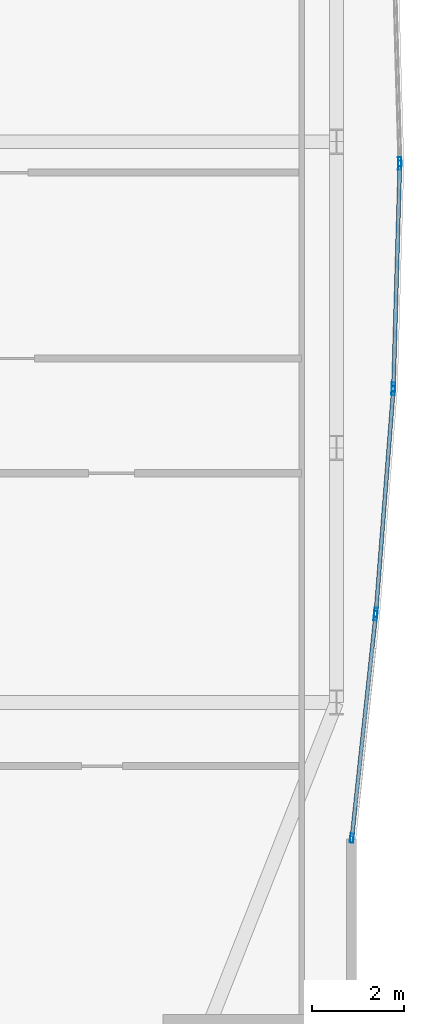
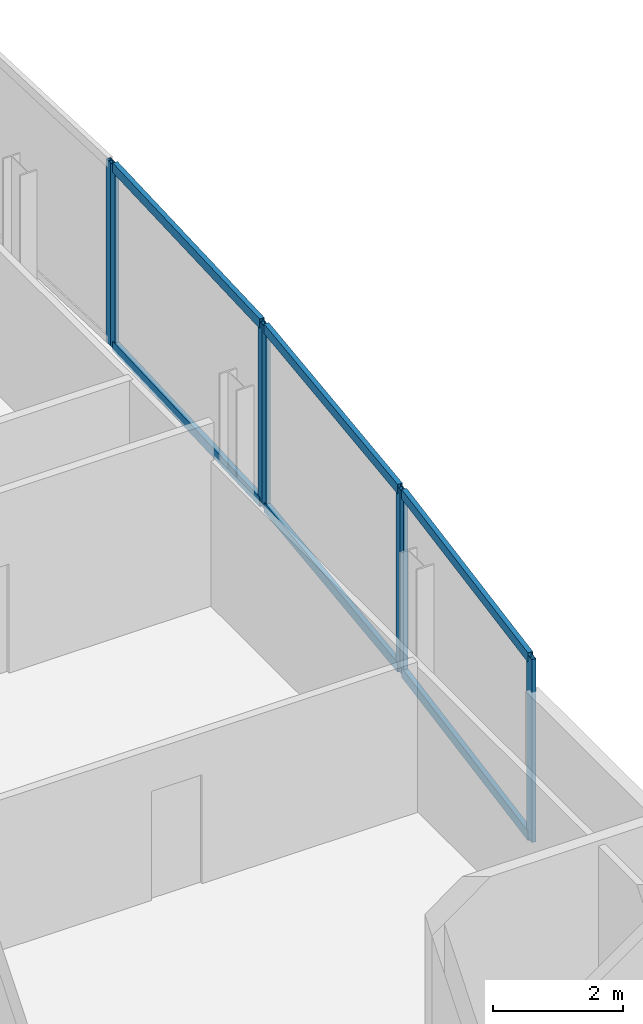
# One storey, part 21 of 29: 13 members, 4 elements without a shape of their own.
"""IFC4 building model written with IfcOpenShell, lengths in metres."""

from ifc_helpers import new_model, si_unit, direction, frame, origin, origin_2d, place, context, subcontext, project, spatial, hollow_rectangle, extrude, material, material_profile, profile_set, type_object, element, aggregate, save


model = new_model("IFC4")

# Units and contexts
model_context = context("Model", 3, precision=1e-05, world=origin(), true_north=direction((0.0, 1.0)))
body_context = subcontext(model_context, "Body", "Model", "MODEL_VIEW")
ifc_project = project(units=[si_unit("LENGTHUNIT", "METRE"), si_unit("AREAUNIT", "SQUARE_METRE"), si_unit("VOLUMEUNIT", "CUBIC_METRE"), si_unit("PLANEANGLEUNIT", "RADIAN"), si_unit("MASSUNIT", "GRAM", prefix="KILO")], contexts=[model_context])

# Site, building, storey
site_placement = place(None, origin())
site = spatial("IfcSite", under=ifc_project, at=site_placement, CompositionType="ELEMENT")
building_placement = place(site_placement, origin())
building = spatial("IfcBuilding", under=site, at=building_placement, Name="Khoronbel Lancet Exchange", CompositionType="ELEMENT")
storey_placement = place(building_placement, frame((0.0, 0.0, 139.800048828125)))
storey = spatial("IfcBuildingStorey", under=building, at=storey_placement, Name="L34", CompositionType="ELEMENT", Elevation=139.800048828125)

# Curtain wall, member
ifc_material_1 = material(Name="Low-E Solar Control Insulating Glass", Category="glass")
curtain_wall_type = type_object("IfcCurtainWallType", Name="CW-4", PredefinedType="NOTDEFINED", material=ifc_material_1)
curtain_wall_1_placement = place(storey_placement, origin())
curtain_wall_1 = element("IfcCurtainWall", 1, at=curtain_wall_1_placement, inside=storey, type_object=curtain_wall_type, Name="Unitised curtain wall CW-L34-E19", PredefinedType="NOTDEFINED")
ifc_material_2 = material(Name="Bronze-Anodised Aluminium 6063-T6", Category="aluminium")
ifc_material_profile_1 = material_profile(ifc_material_2, hollow_rectangle(XDim=0.074951171875, YDim=0.199951171875, WallThickness=0.0048828125, at=origin_2d()), Name="ALU MULLION 75x200")
ifc_profile_set_1 = profile_set([ifc_material_profile_1], Name="Bronze-Anodised Aluminium 6063-T6")
member_type_1 = type_object("IfcMemberType", Name="MEM-CWM2", PredefinedType="MULLION", material=ifc_profile_set_1)
member_1_placement = place(storey_placement, frame((69.009033203125, 30.987548828125, 0.0), z_axis=(0.0, 0.0, 1.0), x_axis=(0.999590574553, 0.028612641702, 0.0)))
member_1 = element("IfcMember", 2, at=member_1_placement, type_object=member_type_1, Name="CW4 mullion 2", PredefinedType="MULLION", context=body_context, shape_type="SweptSolid", body=[
    extrude(hollow_rectangle(XDim=0.074951171875, YDim=0.199951171875, WallThickness=0.0048828125, at=origin_2d()), origin(), (0.0, 0.0, 1.0), 3.43994140625),
])
aggregate(curtain_wall_1, [member_1])

# Curtain wall, members
curtain_wall_2_placement = place(storey_placement, origin())
curtain_wall_2 = element("IfcCurtainWall", 3, at=curtain_wall_2_placement, inside=storey, type_object=curtain_wall_type, Name="Unitised curtain wall CW-L34-E20", PredefinedType="NOTDEFINED")
member_2_placement = place(storey_placement, frame((69.009033203125, 30.91259765625, 0.0), z_axis=(0.0, 0.0, 1.0), x_axis=(0.999590574553, -0.028612641702, 0.0)))
member_2 = element("IfcMember", 4, at=member_2_placement, type_object=member_type_1, Name="CW4 mullion 1", PredefinedType="MULLION", context=body_context, shape_type="SweptSolid", body=[
    extrude(hollow_rectangle(XDim=0.074951171875, YDim=0.199951171875, WallThickness=0.0048828125, at=origin_2d()), origin(), (0.0, 0.0, 1.0), 3.43994140625),
])
member_3_placement = place(storey_placement, frame((68.870361328125, 26.07568359375, 0.0), z_axis=(0.0, 0.0, 1.0), x_axis=(0.999590574553, -0.028612641702, 0.0)))
member_3 = element("IfcMember", 5, at=member_3_placement, type_object=member_type_1, Name="CW4 mullion 2", PredefinedType="MULLION", context=body_context, shape_type="SweptSolid", body=[
    extrude(hollow_rectangle(XDim=0.074951171875, YDim=0.199951171875, WallThickness=0.0048828125, at=origin_2d()), origin(), (0.0, 0.0, 1.0), 3.43994140625),
])

curtain_wall_3_placement = place(storey_placement, origin())
curtain_wall_3 = element("IfcCurtainWall", 6, at=curtain_wall_3_placement, inside=storey, type_object=curtain_wall_type, Name="Unitised curtain wall CW-L34-E21", PredefinedType="NOTDEFINED")
member_4_placement = place(storey_placement, frame((68.866455078125, 26.000732421875, 0.0), z_axis=(0.0, 0.0, 1.0), x_axis=(0.996959555693, -0.077920756627, 0.0)))
member_4 = element("IfcMember", 7, at=member_4_placement, type_object=member_type_1, Name="CW4 mullion 1", PredefinedType="MULLION", context=body_context, shape_type="SweptSolid", body=[
    extrude(hollow_rectangle(XDim=0.074951171875, YDim=0.199951171875, WallThickness=0.0048828125, at=origin_2d()), origin(), (0.0, 0.0, 1.0), 3.43994140625),
])
member_5_placement = place(storey_placement, frame((68.48828125, 21.162353515625, 0.0), z_axis=(0.0, 0.0, 1.0), x_axis=(0.996959555693, -0.077920756627, 0.0)))
member_5 = element("IfcMember", 8, at=member_5_placement, type_object=member_type_1, Name="CW4 mullion 2", PredefinedType="MULLION", context=body_context, shape_type="SweptSolid", body=[
    extrude(hollow_rectangle(XDim=0.074951171875, YDim=0.199951171875, WallThickness=0.0048828125, at=origin_2d()), origin(), (0.0, 0.0, 1.0), 3.43994140625),
])

curtain_wall_4_placement = place(storey_placement, origin())
curtain_wall_4 = element("IfcCurtainWall", 9, at=curtain_wall_4_placement, inside=storey, type_object=curtain_wall_type, Name="Unitised curtain wall CW-L34-E22", PredefinedType="NOTDEFINED")
member_6_placement = place(storey_placement, frame((68.4814453125, 21.087646484375, 0.0), z_axis=(0.0, 0.0, 1.0), x_axis=(0.994346859972, -0.106180610586, 0.0)))
member_6 = element("IfcMember", 10, at=member_6_placement, type_object=member_type_1, Name="CW4 mullion 1", PredefinedType="MULLION", context=body_context, shape_type="SweptSolid", body=[
    extrude(hollow_rectangle(XDim=0.074951171875, YDim=0.199951171875, WallThickness=0.0048828125, at=origin_2d()), origin(), (0.0, 0.0, 1.0), 3.43994140625),
])
member_7_placement = place(storey_placement, frame((67.9638671875, 16.2421875, 0.0), z_axis=(0.0, 0.0, 1.0), x_axis=(0.994346859972, -0.106180610586, 0.0)))
member_7 = element("IfcMember", 11, at=member_7_placement, type_object=member_type_1, Name="CW4 mullion 2", PredefinedType="MULLION", context=body_context, shape_type="SweptSolid", body=[
    extrude(hollow_rectangle(XDim=0.074951171875, YDim=0.199951171875, WallThickness=0.0048828125, at=origin_2d()), origin(), (0.0, 0.0, 1.0), 3.43994140625),
])

# Member
ifc_material_profile_2 = material_profile(ifc_material_2, hollow_rectangle(XDim=0.0849609375, YDim=0.179931640625, WallThickness=0.0048828125, at=origin_2d()), Name="ALU TRANSOM 85x180")
ifc_profile_set_2 = profile_set([ifc_material_profile_2], Name="Bronze-Anodised Aluminium 6063-T6")
member_type_2 = type_object("IfcMemberType", Name="MEM-CWT1", PredefinedType="USERDEFINED", material=ifc_profile_set_2)
member_8_placement = place(storey_placement, frame((69.0078125, 30.875, 0.04248046875), z_axis=(-0.028596349692, -0.999591040768, 0.0), x_axis=(0.999591040768, -0.028596349692, 0.0)))
member_8 = element("IfcMember", 12, at=member_8_placement, type_object=member_type_2, Name="CW4 transom 1.1", ObjectType="TRANSOM", PredefinedType="USERDEFINED", context=body_context, shape_type="SweptSolid", body=[
    extrude(hollow_rectangle(XDim=0.0849609375, YDim=0.179931640625, WallThickness=0.0048828125, at=origin_2d()), origin(), (0.0, 0.0, 1.0), 4.763916015625),
])

member_9_placement = place(storey_placement, frame((69.0078125, 30.875, 3.3974609375), z_axis=(-0.028596349692, -0.999591040768, 0.0), x_axis=(0.999591040768, -0.028596349692, 0.0)))
member_9 = element("IfcMember", 13, at=member_9_placement, type_object=member_type_2, Name="CW4 transom 1.2", ObjectType="TRANSOM", PredefinedType="USERDEFINED", context=body_context, shape_type="SweptSolid", body=[
    extrude(hollow_rectangle(XDim=0.0849609375, YDim=0.179931640625, WallThickness=0.0048828125, at=origin_2d()), origin(), (0.0, 0.0, 1.0), 4.763916015625),
])

aggregate(curtain_wall_2, [member_2, member_3, member_8, member_9])

member_10_placement = place(storey_placement, frame((68.863525390625, 25.96337890625, 0.04248046875), z_axis=(-0.077919407709, -0.996959661121, 0.0), x_axis=(0.996959661121, -0.077919407709, 0.0)))
member_10 = element("IfcMember", 14, at=member_10_placement, type_object=member_type_2, Name="CW4 transom 1.1", ObjectType="TRANSOM", PredefinedType="USERDEFINED", context=body_context, shape_type="SweptSolid", body=[
    extrude(hollow_rectangle(XDim=0.0849609375, YDim=0.179931640625, WallThickness=0.0048828125, at=origin_2d()), origin(), (0.0, 0.0, 1.0), 4.7783203125),
])

member_11_placement = place(storey_placement, frame((68.863525390625, 25.96337890625, 3.3974609375), z_axis=(-0.077919407709, -0.996959661121, 0.0), x_axis=(0.996959661121, -0.077919407709, 0.0)))
member_11 = element("IfcMember", 15, at=member_11_placement, type_object=member_type_2, Name="CW4 transom 1.2", ObjectType="TRANSOM", PredefinedType="USERDEFINED", context=body_context, shape_type="SweptSolid", body=[
    extrude(hollow_rectangle(XDim=0.0849609375, YDim=0.179931640625, WallThickness=0.0048828125, at=origin_2d()), origin(), (0.0, 0.0, 1.0), 4.7783203125),
])

aggregate(curtain_wall_3, [member_4, member_5, member_10, member_11])

member_12_placement = place(storey_placement, frame((68.4775390625, 21.050537109375, 0.04248046875), z_axis=(-0.106186389442, -0.994346242864, 0.0), x_axis=(0.994346242864, -0.106186389442, 0.0)))
member_12 = element("IfcMember", 16, at=member_12_placement, type_object=member_type_2, Name="CW4 transom 1.1", ObjectType="TRANSOM", PredefinedType="USERDEFINED", context=body_context, shape_type="SweptSolid", body=[
    extrude(hollow_rectangle(XDim=0.0849609375, YDim=0.179931640625, WallThickness=0.0048828125, at=origin_2d()), origin(), (0.0, 0.0, 1.0), 4.79833984375),
])

member_13_placement = place(storey_placement, frame((68.4775390625, 21.050537109375, 3.3974609375), z_axis=(-0.106186389442, -0.994346242864, 0.0), x_axis=(0.994346242864, -0.106186389442, 0.0)))
member_13 = element("IfcMember", 17, at=member_13_placement, type_object=member_type_2, Name="CW4 transom 1.2", ObjectType="TRANSOM", PredefinedType="USERDEFINED", context=body_context, shape_type="SweptSolid", body=[
    extrude(hollow_rectangle(XDim=0.0849609375, YDim=0.179931640625, WallThickness=0.0048828125, at=origin_2d()), origin(), (0.0, 0.0, 1.0), 4.79833984375),
])

aggregate(curtain_wall_4, [member_6, member_7, member_12, member_13])

save(model, "model.ifc")
